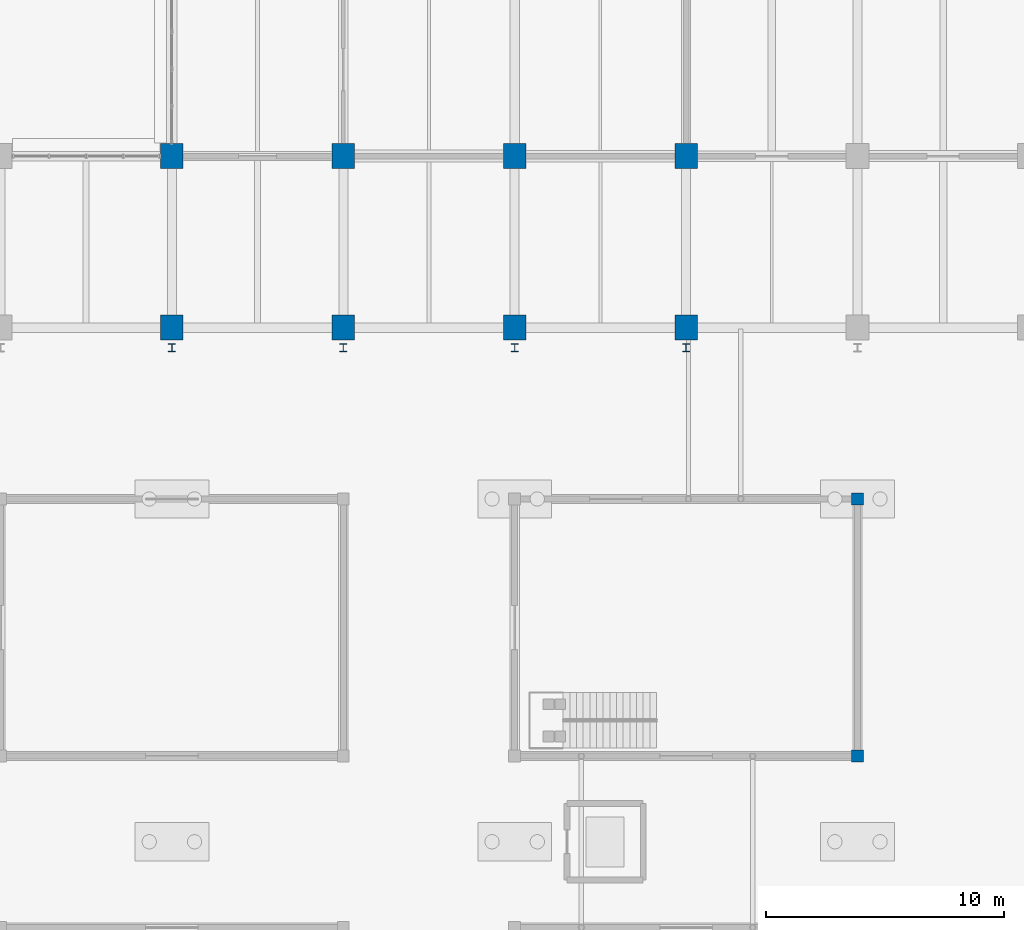
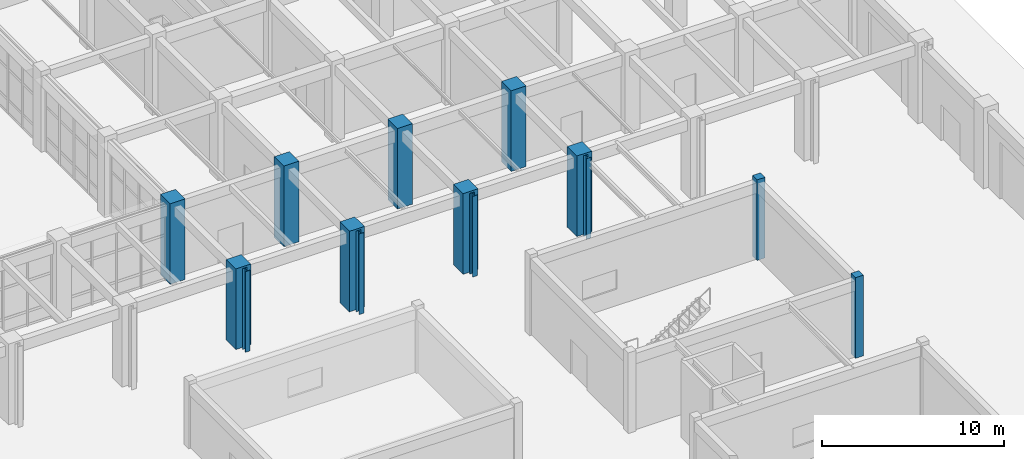
# One storey, part 12 of 160: 14 columns.
"""IFC4 building model written with IfcOpenShell, lengths in metres."""

from ifc_helpers import new_model, si_unit, direction, frame, origin, origin_2d, place, context, subcontext, project, spatial, rectangle, i_section, extrude, material, material_profile, profile_set, type_object, element, save


model = new_model("IFC4")

# Units and contexts
model_context = context("Model", 3, precision=1e-05, world=origin(), true_north=direction((0.0, 1.0)))
body_context = subcontext(model_context, "Body", "Model", "MODEL_VIEW")
ifc_project = project(units=[si_unit("LENGTHUNIT", "METRE"), si_unit("AREAUNIT", "SQUARE_METRE"), si_unit("VOLUMEUNIT", "CUBIC_METRE"), si_unit("PLANEANGLEUNIT", "RADIAN"), si_unit("MASSUNIT", "GRAM", prefix="KILO")], contexts=[model_context])

# Site, building, storey
site_placement = place(None, origin())
site = spatial("IfcSite", under=ifc_project, at=site_placement, CompositionType="ELEMENT")
building_placement = place(site_placement, origin())
building = spatial("IfcBuilding", under=site, at=building_placement, Name="Thalmaran Polytechnic", CompositionType="ELEMENT")
storey_placement = place(building_placement, origin())
storey = spatial("IfcBuildingStorey", under=building, at=storey_placement, Name="L00", CompositionType="ELEMENT", Elevation=0.0)

# Columns
ifc_material_1 = material(Name="Concrete C40/50", Category="concrete")
ifc_material_profile_1 = material_profile(ifc_material_1, rectangle(XDim=0.5, YDim=0.5, at=origin_2d()), Name="RC 500x500")
ifc_profile_set_1 = profile_set([ifc_material_profile_1], Name="Concrete C40/50")
column_type_1 = type_object("IfcColumnType", Name="COL-C09", PredefinedType="COLUMN", material=ifc_profile_set_1)
for number, where, z_axis, x_axis, name in (
    (1, (158.39990234375, 32.39990234375, 0.0), (0.0, 0.0, 1.0), (1.0, 0.0, 0.0), "POD4 Frame Column L00"),
    (2, (158.39990234375, 43.199951171875, 0.0), (0.0, 0.0, 1.0), (1.0, 0.0, 0.0), "POD4 Frame Column L00"),
):
    element("IfcColumn", number, at=place(storey_placement, frame(where, z_axis=z_axis, x_axis=x_axis)), inside=storey, type_object=column_type_1, Name=name, PredefinedType="COLUMN", context=body_context, shape_type="SweptSolid", body=[
        extrude(rectangle(XDim=0.5, YDim=0.5, at=origin_2d()), origin(), (0.0, 0.0, 1.0), 5.39990234375),
    ])
ifc_material_2 = material(Name="Steel S355", Category="steel")
ifc_material_profile_2 = material_profile(ifc_material_2, i_section(OverallWidth=0.300048828125, OverallDepth=0.340087890625, WebThickness=0.011962890625, FlangeThickness=0.021484375, at=origin_2d()), Name="HEB 340")
ifc_profile_set_2 = profile_set([ifc_material_profile_2], Name="Steel S355")
column_type_2 = type_object("IfcColumnType", Name="COL-SC1", PredefinedType="COLUMN", material=ifc_profile_set_2)
for number, where, z_axis, x_axis, name in (
    (3, (129.60009765625, 49.550048828125, 0.0), (0.0, 0.0, 1.0), (1.0, 0.0, 0.0), "Workshop Crane Runway Column L00 (18,7)"),
    (4, (136.800048828125, 49.550048828125, 0.0), (0.0, 0.0, 1.0), (1.0, 0.0, 0.0), "Workshop Crane Runway Column L00 (19,7)"),
    (5, (144.0, 49.550048828125, 0.0), (0.0, 0.0, 1.0), (1.0, 0.0, 0.0), "Workshop Crane Runway Column L00 (20,7)"),
    (6, (151.199951171875, 49.550048828125, 0.0), (0.0, 0.0, 1.0), (1.0, 0.0, 0.0), "Workshop Crane Runway Column L00 (21,7)"),
):
    element("IfcColumn", number, at=place(storey_placement, frame(where, z_axis=z_axis, x_axis=x_axis)), inside=storey, type_object=column_type_2, Name=name, PredefinedType="COLUMN", context=body_context, shape_type="SweptSolid", body=[
        extrude(i_section(OverallWidth=0.300048828125, OverallDepth=0.340087890625, WebThickness=0.011962890625, FlangeThickness=0.021484375, at=origin_2d()), origin(), (0.0, 0.0, 1.0), 5.39990234375),
    ])
ifc_material_3 = material(Name="Concrete C50/60", Category="concrete")
ifc_material_profile_3 = material_profile(ifc_material_3, rectangle(XDim=0.949951171875, YDim=1.050048828125, at=origin_2d()), Name="RC 950x1050")
ifc_profile_set_3 = profile_set([ifc_material_profile_3], Name="Concrete C50/60")
column_type_3 = type_object("IfcColumnType", Name="COL-WP2", PredefinedType="COLUMN", material=ifc_profile_set_3)
for number, where, z_axis, x_axis, name in (
    (7, (129.60009765625, 50.39990234375, 0.0), (0.0, 0.0, 1.0), (1.0, 0.0, 0.0), "Column WP2 L00 (18,7)"),
    (8, (129.60009765625, 57.60009765625, 0.0), (0.0, 0.0, 1.0), (1.0, 0.0, 0.0), "Column WP2 L00 (18,8)"),
    (9, (136.800048828125, 50.39990234375, 0.0), (0.0, 0.0, 1.0), (1.0, 0.0, 0.0), "Column WP2 L00 (19,7)"),
    (10, (136.800048828125, 57.60009765625, 0.0), (0.0, 0.0, 1.0), (1.0, 0.0, 0.0), "Column WP2 L00 (19,8)"),
    (11, (144.0, 50.39990234375, 0.0), (0.0, 0.0, 1.0), (1.0, 0.0, 0.0), "Column WP2 L00 (20,7)"),
    (12, (144.0, 57.60009765625, 0.0), (0.0, 0.0, 1.0), (1.0, 0.0, 0.0), "Column WP2 L00 (20,8)"),
    (13, (151.199951171875, 50.39990234375, 0.0), (0.0, 0.0, 1.0), (1.0, 0.0, 0.0), "Column WP2 L00 (21,7)"),
    (14, (151.199951171875, 57.60009765625, 0.0), (0.0, 0.0, 1.0), (1.0, 0.0, 0.0), "Column WP2 L00 (21,8)"),
):
    element("IfcColumn", number, at=place(storey_placement, frame(where, z_axis=z_axis, x_axis=x_axis)), inside=storey, type_object=column_type_3, Name=name, PredefinedType="COLUMN", context=body_context, shape_type="SweptSolid", body=[
        extrude(rectangle(XDim=0.949951171875, YDim=1.050048828125, at=origin_2d()), origin(), (0.0, 0.0, 1.0), 5.39990234375),
    ])

save(model, "model.ifc")
